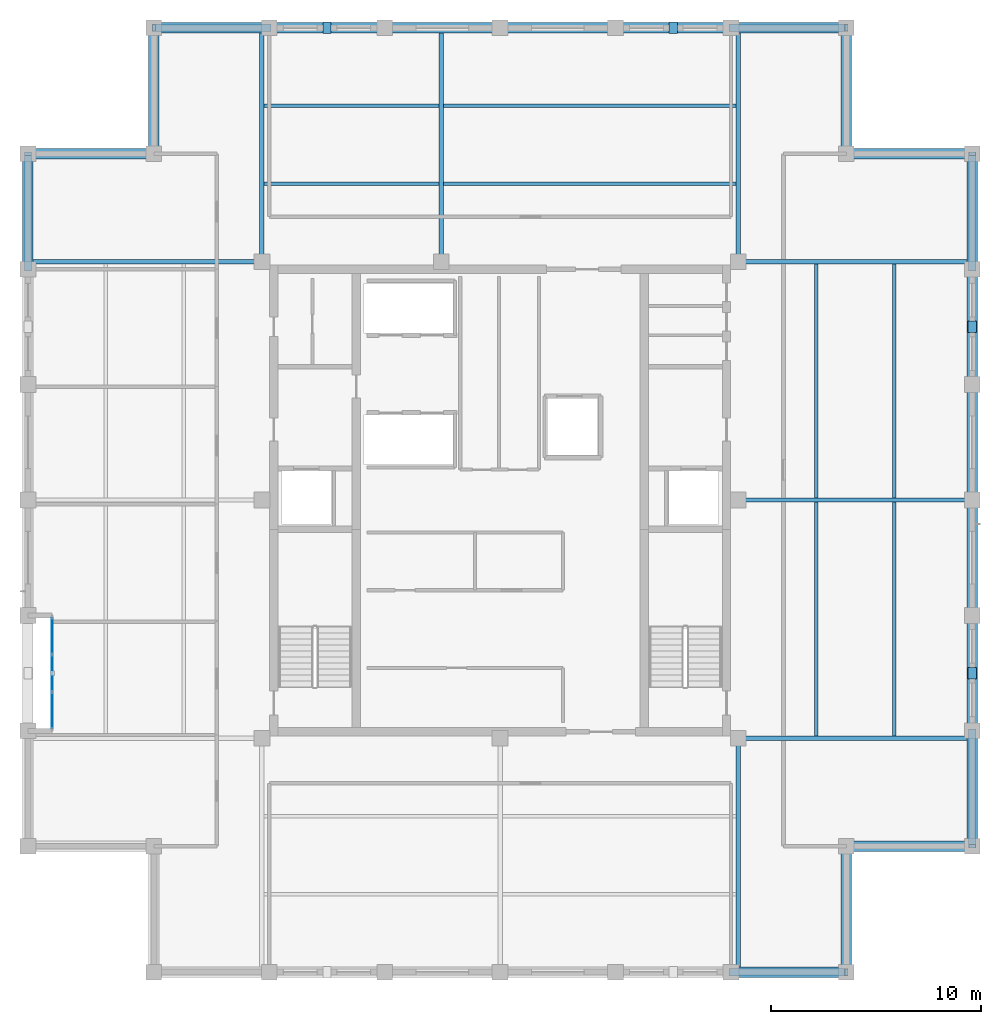
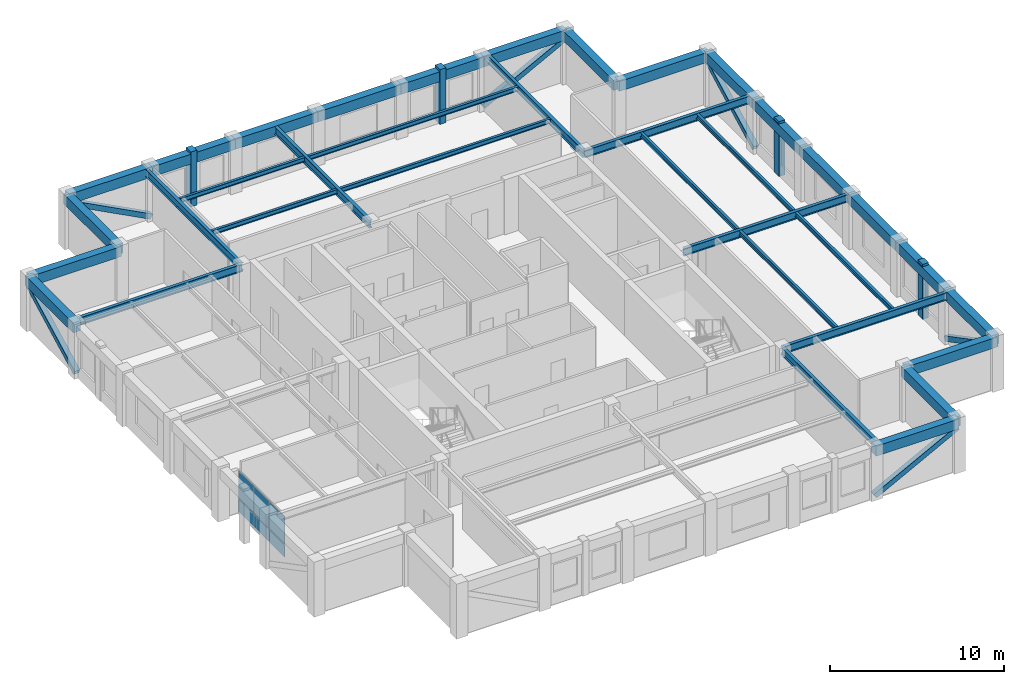
# One storey, part 5 of 13: 36 beams, 10 members, 6 plates, 1 element without a shape of its own.
"""IFC4 building model written with IfcOpenShell, lengths in metres."""

from ifc_helpers import new_model, si_unit, direction, frame, origin, origin_2d, place, context, subcontext, project, spatial, rectangle, hollow_rectangle, i_section, extrude, material, layer, layer_set, material_profile, profile_set, type_object, element, aggregate, save


model = new_model("IFC4")

# Units and contexts
model_context = context("Model", 3, precision=1e-05, world=origin(), true_north=direction((0.0, 1.0)))
body_context = subcontext(model_context, "Body", "Model", "MODEL_VIEW")
ifc_project = project(units=[si_unit("LENGTHUNIT", "METRE"), si_unit("AREAUNIT", "SQUARE_METRE"), si_unit("VOLUMEUNIT", "CUBIC_METRE"), si_unit("PLANEANGLEUNIT", "RADIAN"), si_unit("MASSUNIT", "GRAM", prefix="KILO")], contexts=[model_context])

# Site, building, storey
site_placement = place(None, origin())
site = spatial("IfcSite", under=ifc_project, at=site_placement, CompositionType="ELEMENT")
building_placement = place(site_placement, origin())
building = spatial("IfcBuilding", under=site, at=building_placement, Name="Nhamokura Convention Tower", CompositionType="ELEMENT")
storey_placement = place(building_placement, frame((0.0, 0.0, 300.64990234375)))
storey = spatial("IfcBuildingStorey", under=building, at=storey_placement, Name="L74", CompositionType="ELEMENT", Elevation=300.64990234375)

# Members
ifc_material_1 = material(Name="Bronze-pigmented precast concrete C45/55", Category="concrete")
ifc_material_profile_1 = material_profile(ifc_material_1, rectangle(XDim=0.39990234375, YDim=0.550048828125, at=origin_2d()))
ifc_profile_set_1 = profile_set([ifc_material_profile_1], Name="Bronze-pigmented precast concrete C45/55")
member_type_1 = type_object("IfcMemberType", Name="BronzePilaster_550", PredefinedType="USERDEFINED", material=ifc_profile_set_1)
for number, where, z_axis, x_axis, name in (
    (1, (23.75, 54.5, 0.0), (0.0, 0.0, 1.0), (1.0, 0.0, 0.0), "L74 Engaged Frame Pilaster NORTH 1"),
    (2, (40.25, 54.5, 0.0), (0.0, 0.0, 1.0), (1.0, 0.0, 0.0), "L74 Engaged Frame Pilaster NORTH 4"),
    (3, (54.5, 23.75, 0.0), (0.0, 0.0, 1.0), (1.0, 0.0, 0.0), "L74 Engaged Frame Pilaster EAST 1"),
    (4, (54.5, 40.25, 0.0), (0.0, 0.0, 1.0), (1.0, 0.0, 0.0), "L74 Engaged Frame Pilaster EAST 4"),
):
    element("IfcMember", number, at=place(storey_placement, frame(where, z_axis=z_axis, x_axis=x_axis)), inside=storey, type_object=member_type_1, Name=name, ObjectType="PILASTER_TRIM", PredefinedType="USERDEFINED", context=body_context, shape_type="SweptSolid", body=[
        extrude(rectangle(XDim=0.39990234375, YDim=0.550048828125, at=origin_2d()), origin(), (0.0, 0.0, 1.0), 3.85009765625),
    ])

# Beams
ifc_material_2 = material(Name="Steel ASTM A992 Gr 50", Category="steel")
ifc_material_profile_2 = material_profile(ifc_material_2, i_section(OverallWidth=0.166015625, OverallDepth=0.31298828125, WebThickness=0.006591796875, FlangeThickness=0.01123046875, at=origin_2d()))
ifc_profile_set_2 = profile_set([ifc_material_profile_2], Name="Steel ASTM A992 Gr 50")
beam_type_1 = type_object("IfcBeamType", Name="FloorJoist_W310X45", PredefinedType="JOIST", material=ifc_profile_set_2)
beam_1_placement = place(storey_placement, frame((20.75244140625, 47.066650390625, 3.528564453125), z_axis=(1.0, 0.0, 0.0), x_axis=(0.0, 1.0, 0.0)))
element("IfcBeam", 5, at=beam_1_placement, inside=storey, type_object=beam_type_1, Name="L74 Composite Floor Joist N1A", PredefinedType="JOIST", context=body_context, shape_type="SweptSolid", body=[
    extrude(i_section(OverallWidth=0.166015625, OverallDepth=0.31298828125, WebThickness=0.006591796875, FlangeThickness=0.01123046875, at=origin_2d()), origin(), (0.0, 0.0, 1.0), 8.344970703125),
])
beam_2_placement = place(storey_placement, frame((29.302490234375, 47.066650390625, 3.528564453125), z_axis=(1.0, 0.0, 0.0), x_axis=(0.0, 1.0, 0.0)))
element("IfcBeam", 6, at=beam_2_placement, inside=storey, type_object=beam_type_1, Name="L74 Composite Floor Joist N1B", PredefinedType="JOIST", context=body_context, shape_type="SweptSolid", body=[
    extrude(i_section(OverallWidth=0.166015625, OverallDepth=0.31298828125, WebThickness=0.006591796875, FlangeThickness=0.01123046875, at=origin_2d()), origin(), (0.0, 0.0, 1.0), 13.945068359375),
])
beam_3_placement = place(storey_placement, frame((20.75244140625, 50.783203125, 3.528564453125), z_axis=(1.0, 0.0, 0.0), x_axis=(0.0, 1.0, 0.0)))
element("IfcBeam", 7, at=beam_3_placement, inside=storey, type_object=beam_type_1, Name="L74 Composite Floor Joist N2A", PredefinedType="JOIST", context=body_context, shape_type="SweptSolid", body=[
    extrude(i_section(OverallWidth=0.166015625, OverallDepth=0.31298828125, WebThickness=0.006591796875, FlangeThickness=0.01123046875, at=origin_2d()), origin(), (0.0, 0.0, 1.0), 8.344970703125),
])
beam_4_placement = place(storey_placement, frame((29.302490234375, 50.783203125, 3.528564453125), z_axis=(1.0, 0.0, 0.0), x_axis=(0.0, 1.0, 0.0)))
element("IfcBeam", 8, at=beam_4_placement, inside=storey, type_object=beam_type_1, Name="L74 Composite Floor Joist N2B", PredefinedType="JOIST", context=body_context, shape_type="SweptSolid", body=[
    extrude(i_section(OverallWidth=0.166015625, OverallDepth=0.31298828125, WebThickness=0.006591796875, FlangeThickness=0.01123046875, at=origin_2d()), origin(), (0.0, 0.0, 1.0), 13.945068359375),
])
for number, where, z_axis, x_axis, name in (
    (9, (47.066650390625, 20.75244140625, 3.528564453125), (0.0, 1.0, 0.0), (-1.0, 0.0, 0.0), "L74 Composite Floor Joist E1A"),
    (10, (47.066650390625, 32.1025390625, 3.528564453125), (0.0, 1.0, 0.0), (-1.0, 0.0, 0.0), "L74 Composite Floor Joist E1B"),
    (11, (50.783203125, 20.75244140625, 3.528564453125), (0.0, 1.0, 0.0), (-1.0, 0.0, 0.0), "L74 Composite Floor Joist E2A"),
    (12, (50.783203125, 32.1025390625, 3.528564453125), (0.0, 1.0, 0.0), (-1.0, 0.0, 0.0), "L74 Composite Floor Joist E2B"),
):
    element("IfcBeam", number, at=place(storey_placement, frame(where, z_axis=z_axis, x_axis=x_axis)), inside=storey, type_object=beam_type_1, Name=name, PredefinedType="JOIST", context=body_context, shape_type="SweptSolid", body=[
        extrude(i_section(OverallWidth=0.166015625, OverallDepth=0.31298828125, WebThickness=0.006591796875, FlangeThickness=0.01123046875, at=origin_2d()), origin(), (0.0, 0.0, 1.0), 11.14501953125),
    ])
ifc_material_3 = material(Name="Steel ASTM A992 Gr 50", Category="steel")
ifc_material_profile_3 = material_profile(ifc_material_3, i_section(OverallWidth=0.208984375, OverallDepth=0.532958984375, WebThickness=0.01025390625, FlangeThickness=0.015625, at=origin_2d()))
ifc_profile_set_3 = profile_set([ifc_material_profile_3], Name="Steel ASTM A992 Gr 50")
beam_type_2 = type_object("IfcBeamType", Name="PrimaryGirder_W530X92", PredefinedType="BEAM", material=ifc_profile_set_3)
for number, where, z_axis, x_axis, name in (
    (13, (43.35009765625, 9.5, 3.418701171875), (0.0, 1.0, 0.0), (-1.0, 0.0, 0.0), "L74 Primary Floor Girder PG-S3"),
    (14, (20.64990234375, 43.35009765625, 3.418701171875), (0.0, 1.0, 0.0), (-1.0, 0.0, 0.0), "L74 Primary Floor Girder PG-N1"),
    (15, (29.199951171875, 43.35009765625, 3.418701171875), (0.0, 1.0, 0.0), (-1.0, 0.0, 0.0), "L74 Primary Floor Girder PG-N2"),
    (16, (43.35009765625, 43.35009765625, 3.418701171875), (0.0, 1.0, 0.0), (-1.0, 0.0, 0.0), "L74 Primary Floor Girder PG-N3"),
    (17, (9.5, 43.35009765625, 3.418701171875), (1.0, 0.0, 0.0), (0.0, 1.0, 0.0), "L74 Primary Floor Girder PG-W3"),
    (18, (43.35009765625, 20.64990234375, 3.418701171875), (1.0, 0.0, 0.0), (0.0, 1.0, 0.0), "L74 Primary Floor Girder PG-E1"),
    (19, (43.35009765625, 32.0, 3.418701171875), (1.0, 0.0, 0.0), (0.0, 1.0, 0.0), "L74 Primary Floor Girder PG-E2"),
    (20, (43.35009765625, 43.35009765625, 3.418701171875), (1.0, 0.0, 0.0), (0.0, 1.0, 0.0), "L74 Primary Floor Girder PG-E3"),
):
    element("IfcBeam", number, at=place(storey_placement, frame(where, z_axis=z_axis, x_axis=x_axis)), inside=storey, type_object=beam_type_2, Name=name, PredefinedType="BEAM", context=body_context, shape_type="SweptSolid", body=[
        extrude(i_section(OverallWidth=0.208984375, OverallDepth=0.532958984375, WebThickness=0.01025390625, FlangeThickness=0.015625, at=origin_2d()), origin(), (0.0, 0.0, 1.0), 11.14990234375),
    ])

# Members
ifc_material_4 = material(Name="Steel ASTM A572 Gr 50", Category="steel")
ifc_material_profile_4 = material_profile(ifc_material_4, hollow_rectangle(XDim=0.35009765625, YDim=0.35009765625, WallThickness=0.01611328125, at=origin_2d()))
ifc_profile_set_4 = profile_set([ifc_material_profile_4], Name="Steel ASTM A572 Gr 50")
member_type_2 = type_object("IfcMemberType", Name="TubeBrace_HSS350", PredefinedType="BRACE", material=ifc_profile_set_4)
for number, where, z_axis, x_axis, name in (
    (21, (43.0, 9.5, 0.150146484375), (0.885562865764, 0.0, 0.464519548328), (0.0, 1.0, 0.0), "L74 Perimeter Tube Brace SOUTH Bay 5"),
    (22, (21.0, 54.5, 0.150146484375), (-0.885562865764, 0.0, 0.464519548328), (0.0, -1.0, 0.0), "L74 Perimeter Tube Brace NORTH Bay 0"),
    (23, (43.0, 54.5, 0.150146484375), (0.885562865764, 0.0, 0.464519548328), (0.0, 1.0, 0.0), "L74 Perimeter Tube Brace NORTH Bay 5"),
    (24, (9.5, 43.0, 0.150146484375), (0.0, 0.885562865764, 0.464519548328), (-1.0, 0.0, 0.0), "L74 Perimeter Tube Brace WEST Bay 5"),
    (25, (54.5, 21.0, 0.150146484375), (0.0, -0.885562865764, 0.464519548328), (1.0, 0.0, 0.0), "L74 Perimeter Tube Brace EAST Bay 0"),
    (26, (54.5, 43.0, 0.150146484375), (0.0, 0.885562865764, 0.464519548328), (-1.0, 0.0, 0.0), "L74 Perimeter Tube Brace EAST Bay 5"),
):
    element("IfcMember", number, at=place(storey_placement, frame(where, z_axis=z_axis, x_axis=x_axis)), inside=storey, type_object=member_type_2, Name=name, PredefinedType="BRACE", context=body_context, shape_type="SweptSolid", body=[
        extrude(hollow_rectangle(XDim=0.35009765625, YDim=0.35009765625, WallThickness=0.01611328125, at=origin_2d()), origin(), (0.0, 0.0, 1.0), 6.210693359375),
    ])

# Beams
ifc_material_5 = material(Name="Concrete C50/60", Category="concrete")
ifc_material_profile_5 = material_profile(ifc_material_5, rectangle(XDim=0.5, YDim=0.699951171875, at=origin_2d()))
ifc_profile_set_5 = profile_set([ifc_material_profile_5], Name="Concrete C50/60")
beam_type_3 = type_object("IfcBeamType", Name="TubeSpandrel_700", PredefinedType="SPANDREL", material=ifc_profile_set_5)
for number, where, z_axis, x_axis, name in (
    (27, (43.0, 9.5, 3.335205078125), (1.0, 0.0, 0.0), (0.0, 1.0, 0.0), "L74 Perimeter Spandrel SOUTH 6"),
    (28, (15.5, 54.5, 3.335205078125), (1.0, 0.0, 0.0), (0.0, 1.0, 0.0), "L74 Perimeter Spandrel NORTH 1"),
    (29, (21.0, 54.5, 3.335205078125), (1.0, 0.0, 0.0), (0.0, 1.0, 0.0), "L74 Perimeter Spandrel NORTH 2"),
    (30, (26.5, 54.5, 3.335205078125), (1.0, 0.0, 0.0), (0.0, 1.0, 0.0), "L74 Perimeter Spandrel NORTH 3"),
    (31, (32.0, 54.5, 3.335205078125), (1.0, 0.0, 0.0), (0.0, 1.0, 0.0), "L74 Perimeter Spandrel NORTH 4"),
    (32, (37.5, 54.5, 3.335205078125), (1.0, 0.0, 0.0), (0.0, 1.0, 0.0), "L74 Perimeter Spandrel NORTH 5"),
    (33, (43.0, 54.5, 3.335205078125), (1.0, 0.0, 0.0), (0.0, 1.0, 0.0), "L74 Perimeter Spandrel NORTH 6"),
    (34, (9.5, 43.0, 3.335205078125), (0.0, 1.0, 0.0), (-1.0, 0.0, 0.0), "L74 Perimeter Spandrel WEST 6"),
    (35, (54.5, 15.5, 3.335205078125), (0.0, 1.0, 0.0), (-1.0, 0.0, 0.0), "L74 Perimeter Spandrel EAST 1"),
    (36, (54.5, 21.0, 3.335205078125), (0.0, 1.0, 0.0), (-1.0, 0.0, 0.0), "L74 Perimeter Spandrel EAST 2"),
    (37, (54.5, 26.5, 3.335205078125), (0.0, 1.0, 0.0), (-1.0, 0.0, 0.0), "L74 Perimeter Spandrel EAST 3"),
    (38, (54.5, 32.0, 3.335205078125), (0.0, 1.0, 0.0), (-1.0, 0.0, 0.0), "L74 Perimeter Spandrel EAST 4"),
    (39, (54.5, 37.5, 3.335205078125), (0.0, 1.0, 0.0), (-1.0, 0.0, 0.0), "L74 Perimeter Spandrel EAST 5"),
    (40, (54.5, 43.0, 3.335205078125), (0.0, 1.0, 0.0), (-1.0, 0.0, 0.0), "L74 Perimeter Spandrel EAST 6"),
):
    element("IfcBeam", number, at=place(storey_placement, frame(where, z_axis=z_axis, x_axis=x_axis)), inside=storey, type_object=beam_type_3, Name=name, PredefinedType="SPANDREL", context=body_context, shape_type="SweptSolid", body=[
        extrude(rectangle(XDim=0.5, YDim=0.699951171875, at=origin_2d()), origin(), (0.0, 0.0, 1.0), 5.5),
    ])
for number, where, z_axis, x_axis, name in (
    (41, (48.5, 9.5, 3.335205078125), (0.0, 1.0, 0.0), (-1.0, 0.0, 0.0), "L74 Notch Spandrel SE1"),
    (42, (48.5, 15.5, 3.335205078125), (1.0, 0.0, 0.0), (0.0, 1.0, 0.0), "L74 Notch Spandrel SE2"),
    (43, (54.5, 48.5, 3.335205078125), (-1.0, 0.0, 0.0), (0.0, -1.0, 0.0), "L74 Notch Spandrel NE1"),
    (44, (48.5, 48.5, 3.335205078125), (0.0, 1.0, 0.0), (-1.0, 0.0, 0.0), "L74 Notch Spandrel NE2"),
    (45, (15.5, 54.5, 3.335205078125), (0.0, -1.0, 0.0), (1.0, 0.0, 0.0), "L74 Notch Spandrel NW1"),
    (46, (15.5, 48.5, 3.335205078125), (-1.0, 0.0, 0.0), (0.0, -1.0, 0.0), "L74 Notch Spandrel NW2"),
):
    element("IfcBeam", number, at=place(storey_placement, frame(where, z_axis=z_axis, x_axis=x_axis)), inside=storey, type_object=beam_type_3, Name=name, PredefinedType="SPANDREL", context=body_context, shape_type="SweptSolid", body=[
        extrude(rectangle(XDim=0.5, YDim=0.699951171875, at=origin_2d()), origin(), (0.0, 0.0, 1.0), 6.0),
    ])

# Curtain wall, plates
ifc_material_6 = material(Name="Anodised bronze aluminium AA6063-T6", Category="aluminium")
ifc_layer_1 = layer(ifc_material_6, 0.155029296875)
ifc_layer_set_1 = layer_set([ifc_layer_1], Name="CWSystem_ScaleSlot_Zone3")
curtain_wall_type = type_object("IfcCurtainWallType", Name="CWSystem_ScaleSlot_Zone3", PredefinedType="NOTDEFINED", material=ifc_layer_set_1)
curtain_wall_placement = place(storey_placement, origin())
curtain_wall = element("IfcCurtainWall", 47, at=curtain_wall_placement, inside=storey, type_object=curtain_wall_type, Name="L74 Curtain Wall ENV-L74-SLOT-W1", PredefinedType="NOTDEFINED")
ifc_material_7 = material(Name="Solar-control bronze low-E double glass", Category="glass")
ifc_layer_2 = layer(ifc_material_7, 0.0400390625)
ifc_layer_set_2 = layer_set([ifc_layer_2], Name="CWGlazedPanel_3")
plate_type = type_object("IfcPlateType", Name="CWGlazedPanel_3", PredefinedType="CURTAIN_PANEL", material=ifc_layer_set_2)
plate_1_placement = place(storey_placement, frame((10.64990234375, 21.972900390625, 0.065185546875), z_axis=(0.0, 0.0, 1.0), x_axis=(0.0, 1.0, 0.0)))
plate_1 = element("IfcPlate", 48, at=plate_1_placement, type_object=plate_type, Name="CW-05 panel 1.1", PredefinedType="CURTAIN_PANEL", context=body_context, shape_type="SweptSolid", body=[
    extrude(rectangle(XDim=1.69580078125, YDim=0.0400390625, at=origin_2d()), origin(), (0.0, 0.0, 1.0), 0.8525390625),
])
plate_2_placement = place(storey_placement, frame((10.64990234375, 21.972900390625, 0.982666015625), z_axis=(0.0, 0.0, 1.0), x_axis=(0.0, 1.0, 0.0)))
plate_2 = element("IfcPlate", 49, at=plate_2_placement, type_object=plate_type, Name="CW-05 panel 1.2", PredefinedType="CURTAIN_PANEL", context=body_context, shape_type="SweptSolid", body=[
    extrude(rectangle(XDim=1.69580078125, YDim=0.0400390625, at=origin_2d()), origin(), (0.0, 0.0, 1.0), 1.9375),
])
plate_3_placement = place(storey_placement, frame((10.64990234375, 23.75, 0.065185546875), z_axis=(0.0, 0.0, 1.0), x_axis=(0.0, 1.0, 0.0)))
plate_3 = element("IfcPlate", 50, at=plate_3_placement, type_object=plate_type, Name="CW-05 panel 2.1", PredefinedType="CURTAIN_PANEL", context=body_context, shape_type="SweptSolid", body=[
    extrude(rectangle(XDim=1.728271484375, YDim=0.0400390625, at=origin_2d()), origin(), (0.0, 0.0, 1.0), 0.8525390625),
])
plate_4_placement = place(storey_placement, frame((10.64990234375, 23.75, 0.982666015625), z_axis=(0.0, 0.0, 1.0), x_axis=(0.0, 1.0, 0.0)))
plate_4 = element("IfcPlate", 51, at=plate_4_placement, type_object=plate_type, Name="CW-05 panel 2.2", PredefinedType="CURTAIN_PANEL", context=body_context, shape_type="SweptSolid", body=[
    extrude(rectangle(XDim=1.728271484375, YDim=0.0400390625, at=origin_2d()), origin(), (0.0, 0.0, 1.0), 1.9375),
])
plate_5_placement = place(storey_placement, frame((10.64990234375, 25.527099609375, 0.065185546875), z_axis=(0.0, 0.0, 1.0), x_axis=(0.0, 1.0, 0.0)))
plate_5 = element("IfcPlate", 52, at=plate_5_placement, type_object=plate_type, Name="CW-05 panel 3.1", PredefinedType="CURTAIN_PANEL", context=body_context, shape_type="SweptSolid", body=[
    extrude(rectangle(XDim=1.69580078125, YDim=0.0400390625, at=origin_2d()), origin(), (0.0, 0.0, 1.0), 0.8525390625),
])
plate_6_placement = place(storey_placement, frame((10.64990234375, 25.527099609375, 0.982666015625), z_axis=(0.0, 0.0, 1.0), x_axis=(0.0, 1.0, 0.0)))
plate_6 = element("IfcPlate", 53, at=plate_6_placement, type_object=plate_type, Name="CW-05 panel 3.2", PredefinedType="CURTAIN_PANEL", context=body_context, shape_type="SweptSolid", body=[
    extrude(rectangle(XDim=1.69580078125, YDim=0.0400390625, at=origin_2d()), origin(), (0.0, 0.0, 1.0), 1.9375),
])
aggregate(curtain_wall, [plate_1, plate_2, plate_3, plate_4, plate_5, plate_6])

save(model, "model.ifc")
